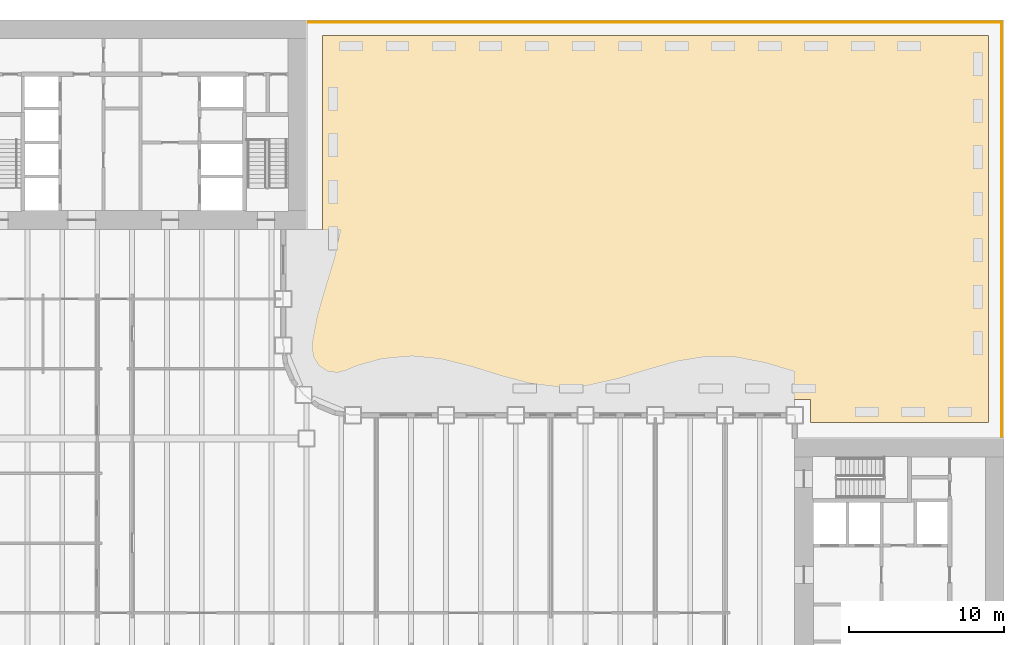
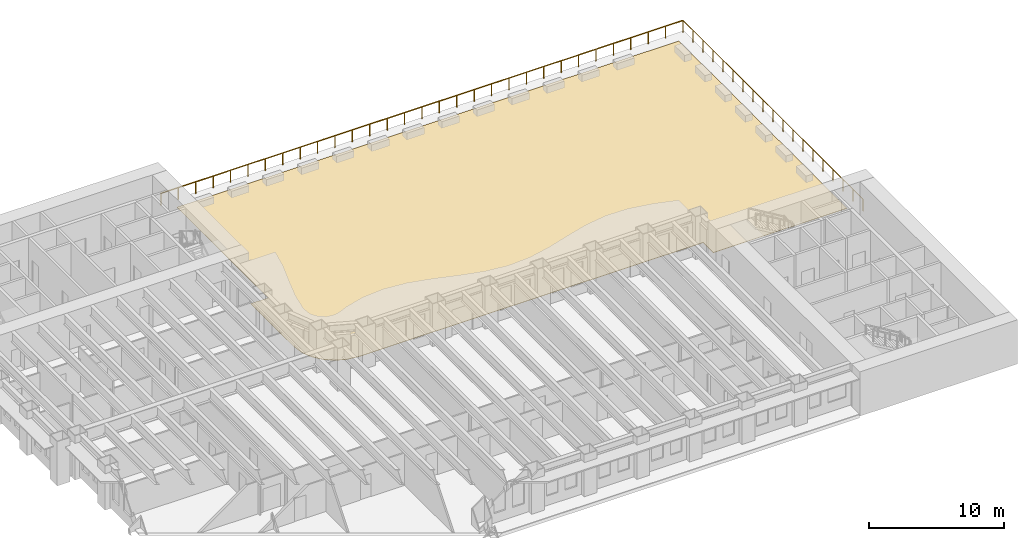
# One storey, part 17 of 18: 2 railings, 1 covering.
"""IFC4 building model written with IfcOpenShell, lengths in metres."""

from ifc_helpers import new_model, si_unit, direction, frame, origin, origin_2d, place, context, subcontext, project, spatial, polyline, rectangle, outline, extrude, material, layer, layer_set, type_object, element, save


model = new_model("IFC4")

# Units and contexts
model_context = context("Model", 3, precision=1e-05, world=origin(), true_north=direction((0.0, 1.0)))
body_context = subcontext(model_context, "Body", "Model", "MODEL_VIEW")
ifc_project = project(units=[si_unit("LENGTHUNIT", "METRE"), si_unit("AREAUNIT", "SQUARE_METRE"), si_unit("VOLUMEUNIT", "CUBIC_METRE"), si_unit("PLANEANGLEUNIT", "RADIAN"), si_unit("MASSUNIT", "GRAM", prefix="KILO")], contexts=[model_context])

# Site, building, storey
site_placement = place(None, origin())
site = spatial("IfcSite", under=ifc_project, at=site_placement, CompositionType="ELEMENT")
building_placement = place(site_placement, origin())
building = spatial("IfcBuilding", under=site, at=building_placement, Name="Sennacour Bend Tower", CompositionType="ELEMENT")
storey_placement = place(building_placement, frame((0.0, 0.0, 29.0)))
storey = spatial("IfcBuildingStorey", under=building, at=storey_placement, Name="L05", CompositionType="ELEMENT", Elevation=29.0)

# Covering
ifc_material_1 = material(Name="Limestone paving", Category="masonry")
ifc_layer = layer(ifc_material_1, 0.030029296875, Name="Limestone paving", Category="masonry")
ifc_layer_set = layer_set([ifc_layer], Name="Limestone paving")
covering_type = type_object("IfcCoveringType", Name="COV-PAVING-30", PredefinedType="FLOORING", material=ifc_layer_set)
covering_placement = place(storey_placement, origin())
element("IfcCovering", 1, at=covering_placement, inside=storey, type_object=covering_type, Name="Paving Podium Roof", PredefinedType="FLOORING", context=body_context, shape_type="SweptSolid", body=[
    extrude(outline(polyline([(66.5, 48.5), (66.5, 23.530029296875), (55.030029296875, 23.530029296875), (55.030029296875, 25.030029296875), (25.5673828125, 25.030029296875), (24.604248046875, 25.15673828125), (23.769287109375, 25.502685546875), (23.052490234375, 26.052490234375), (22.502685546875, 26.769287109375), (22.15673828125, 27.604248046875), (22.030029296875, 28.5673828125), (22.030029296875, 34.969970703125), (23.530029296875, 34.969970703125), (23.530029296875, 48.5), (66.5, 48.5)])), origin(), (0.0, 0.0, 1.0), 0.030029296875),
])

# Railings
ifc_material_2 = material(Name="Stainless steel 316", Category="steel")
railing_type = type_object("IfcRailingType", Name="GUARD 1100", PredefinedType="GUARDRAIL", material=ifc_material_2)
railing_1_placement = place(storey_placement, frame((67.35009765625, 49.35009765625, 0.0)))
element("IfcRailing", 2, at=railing_1_placement, inside=storey, type_object=railing_type, Name="Guard Podium Roof", PredefinedType="GUARDRAIL", context=body_context, shape_type="SweptSolid", body=[
    extrude(rectangle(XDim=0.048095703125, YDim=0.048095703125, at=origin_2d()), frame((0.0, 0.0, 1.076171875), z_axis=(0.0, -1.0, 0.0), x_axis=(1.0, 0.0, 0.0)), (0.0, 0.0, 1.0), 26.7001953125),
    extrude(rectangle(XDim=0.0419921875, YDim=0.0419921875, at=origin_2d()), origin(), (0.0, 0.0, 1.0), 1.052001953125),
    extrude(rectangle(XDim=0.0419921875, YDim=0.0419921875, at=origin_2d()), frame((0.0, -1.4833984375, 0.0)), (0.0, 0.0, 1.0), 1.052001953125),
    extrude(rectangle(XDim=0.0419921875, YDim=0.0419921875, at=origin_2d()), frame((0.0, -2.966796875, 0.0)), (0.0, 0.0, 1.0), 1.052001953125),
    extrude(rectangle(XDim=0.0419921875, YDim=0.0419921875, at=origin_2d()), frame((0.0, -4.449951171875, 0.0)), (0.0, 0.0, 1.0), 1.052001953125),
    extrude(rectangle(XDim=0.0419921875, YDim=0.0419921875, at=origin_2d()), frame((0.0, -5.933349609375, 0.0)), (0.0, 0.0, 1.0), 1.052001953125),
    extrude(rectangle(XDim=0.0419921875, YDim=0.0419921875, at=origin_2d()), frame((0.0, -7.416748046875, 0.0)), (0.0, 0.0, 1.0), 1.052001953125),
    extrude(rectangle(XDim=0.0419921875, YDim=0.0419921875, at=origin_2d()), frame((0.0, -8.900146484375, 0.0)), (0.0, 0.0, 1.0), 1.052001953125),
    extrude(rectangle(XDim=0.0419921875, YDim=0.0419921875, at=origin_2d()), frame((0.0, -10.38330078125, 0.0)), (0.0, 0.0, 1.0), 1.052001953125),
    extrude(rectangle(XDim=0.0419921875, YDim=0.0419921875, at=origin_2d()), frame((0.0, -11.86669921875, 0.0)), (0.0, 0.0, 1.0), 1.052001953125),
    extrude(rectangle(XDim=0.0419921875, YDim=0.0419921875, at=origin_2d()), frame((0.0, -13.35009765625, 0.0)), (0.0, 0.0, 1.0), 1.052001953125),
    extrude(rectangle(XDim=0.0419921875, YDim=0.0419921875, at=origin_2d()), frame((0.0, -14.83349609375, 0.0)), (0.0, 0.0, 1.0), 1.052001953125),
    extrude(rectangle(XDim=0.0419921875, YDim=0.0419921875, at=origin_2d()), frame((0.0, -16.31689453125, 0.0)), (0.0, 0.0, 1.0), 1.052001953125),
    extrude(rectangle(XDim=0.0419921875, YDim=0.0419921875, at=origin_2d()), frame((0.0, -17.800048828125, 0.0)), (0.0, 0.0, 1.0), 1.052001953125),
    extrude(rectangle(XDim=0.0419921875, YDim=0.0419921875, at=origin_2d()), frame((0.0, -19.283447265625, 0.0)), (0.0, 0.0, 1.0), 1.052001953125),
    extrude(rectangle(XDim=0.0419921875, YDim=0.0419921875, at=origin_2d()), frame((0.0, -20.766845703125, 0.0)), (0.0, 0.0, 1.0), 1.052001953125),
    extrude(rectangle(XDim=0.0419921875, YDim=0.0419921875, at=origin_2d()), frame((0.0, -22.250244140625, 0.0)), (0.0, 0.0, 1.0), 1.052001953125),
    extrude(rectangle(XDim=0.0419921875, YDim=0.0419921875, at=origin_2d()), frame((0.0, -23.7333984375, 0.0)), (0.0, 0.0, 1.0), 1.052001953125),
    extrude(rectangle(XDim=0.0419921875, YDim=0.0419921875, at=origin_2d()), frame((0.0, -25.216796875, 0.0)), (0.0, 0.0, 1.0), 1.052001953125),
    extrude(rectangle(XDim=0.0419921875, YDim=0.0419921875, at=origin_2d()), frame((0.0, -26.7001953125, 0.0)), (0.0, 0.0, 1.0), 1.052001953125),
])
railing_2_placement = place(storey_placement, frame((22.64990234375, 49.35009765625, 0.0)))
element("IfcRailing", 3, at=railing_2_placement, inside=storey, type_object=railing_type, Name="Guard Podium Roof", PredefinedType="GUARDRAIL", context=body_context, shape_type="SweptSolid", body=[
    extrude(rectangle(XDim=0.048095703125, YDim=0.048095703125, at=origin_2d()), frame((0.0, 0.0, 1.076171875), z_axis=(1.0, 0.0, 0.0), x_axis=(0.0, 1.0, 0.0)), (0.0, 0.0, 1.0), 44.7001953125),
    extrude(rectangle(XDim=0.0419921875, YDim=0.0419921875, at=origin_2d()), origin(), (0.0, 0.0, 1.0), 1.052001953125),
    extrude(rectangle(XDim=0.0419921875, YDim=0.0419921875, at=origin_2d()), frame((1.489990234375, 0.0, 0.0)), (0.0, 0.0, 1.0), 1.052001953125),
    extrude(rectangle(XDim=0.0419921875, YDim=0.0419921875, at=origin_2d()), frame((2.97998046875, 0.0, 0.0)), (0.0, 0.0, 1.0), 1.052001953125),
    extrude(rectangle(XDim=0.0419921875, YDim=0.0419921875, at=origin_2d()), frame((4.469970703125, 0.0, 0.0)), (0.0, 0.0, 1.0), 1.052001953125),
    extrude(rectangle(XDim=0.0419921875, YDim=0.0419921875, at=origin_2d()), frame((5.9599609375, 0.0, 0.0)), (0.0, 0.0, 1.0), 1.052001953125),
    extrude(rectangle(XDim=0.0419921875, YDim=0.0419921875, at=origin_2d()), frame((7.449951171875, 0.0, 0.0)), (0.0, 0.0, 1.0), 1.052001953125),
    extrude(rectangle(XDim=0.0419921875, YDim=0.0419921875, at=origin_2d()), frame((8.93994140625, 0.0, 0.0)), (0.0, 0.0, 1.0), 1.052001953125),
    extrude(rectangle(XDim=0.0419921875, YDim=0.0419921875, at=origin_2d()), frame((10.429931640625, 0.0, 0.0)), (0.0, 0.0, 1.0), 1.052001953125),
    extrude(rectangle(XDim=0.0419921875, YDim=0.0419921875, at=origin_2d()), frame((11.920166015625, 0.0, 0.0)), (0.0, 0.0, 1.0), 1.052001953125),
    extrude(rectangle(XDim=0.0419921875, YDim=0.0419921875, at=origin_2d()), frame((13.41015625, 0.0, 0.0)), (0.0, 0.0, 1.0), 1.052001953125),
    extrude(rectangle(XDim=0.0419921875, YDim=0.0419921875, at=origin_2d()), frame((14.900146484375, 0.0, 0.0)), (0.0, 0.0, 1.0), 1.052001953125),
    extrude(rectangle(XDim=0.0419921875, YDim=0.0419921875, at=origin_2d()), frame((16.39013671875, 0.0, 0.0)), (0.0, 0.0, 1.0), 1.052001953125),
    extrude(rectangle(XDim=0.0419921875, YDim=0.0419921875, at=origin_2d()), frame((17.880126953125, 0.0, 0.0)), (0.0, 0.0, 1.0), 1.052001953125),
    extrude(rectangle(XDim=0.0419921875, YDim=0.0419921875, at=origin_2d()), frame((19.3701171875, 0.0, 0.0)), (0.0, 0.0, 1.0), 1.052001953125),
    extrude(rectangle(XDim=0.0419921875, YDim=0.0419921875, at=origin_2d()), frame((20.860107421875, 0.0, 0.0)), (0.0, 0.0, 1.0), 1.052001953125),
    extrude(rectangle(XDim=0.0419921875, YDim=0.0419921875, at=origin_2d()), frame((22.35009765625, 0.0, 0.0)), (0.0, 0.0, 1.0), 1.052001953125),
    extrude(rectangle(XDim=0.0419921875, YDim=0.0419921875, at=origin_2d()), frame((23.840087890625, 0.0, 0.0)), (0.0, 0.0, 1.0), 1.052001953125),
    extrude(rectangle(XDim=0.0419921875, YDim=0.0419921875, at=origin_2d()), frame((25.330078125, 0.0, 0.0)), (0.0, 0.0, 1.0), 1.052001953125),
    extrude(rectangle(XDim=0.0419921875, YDim=0.0419921875, at=origin_2d()), frame((26.820068359375, 0.0, 0.0)), (0.0, 0.0, 1.0), 1.052001953125),
    extrude(rectangle(XDim=0.0419921875, YDim=0.0419921875, at=origin_2d()), frame((28.31005859375, 0.0, 0.0)), (0.0, 0.0, 1.0), 1.052001953125),
    extrude(rectangle(XDim=0.0419921875, YDim=0.0419921875, at=origin_2d()), frame((29.800048828125, 0.0, 0.0)), (0.0, 0.0, 1.0), 1.052001953125),
    extrude(rectangle(XDim=0.0419921875, YDim=0.0419921875, at=origin_2d()), frame((31.2900390625, 0.0, 0.0)), (0.0, 0.0, 1.0), 1.052001953125),
    extrude(rectangle(XDim=0.0419921875, YDim=0.0419921875, at=origin_2d()), frame((32.780029296875, 0.0, 0.0)), (0.0, 0.0, 1.0), 1.052001953125),
    extrude(rectangle(XDim=0.0419921875, YDim=0.0419921875, at=origin_2d()), frame((34.270263671875, 0.0, 0.0)), (0.0, 0.0, 1.0), 1.052001953125),
    extrude(rectangle(XDim=0.0419921875, YDim=0.0419921875, at=origin_2d()), frame((35.76025390625, 0.0, 0.0)), (0.0, 0.0, 1.0), 1.052001953125),
    extrude(rectangle(XDim=0.0419921875, YDim=0.0419921875, at=origin_2d()), frame((37.250244140625, 0.0, 0.0)), (0.0, 0.0, 1.0), 1.052001953125),
    extrude(rectangle(XDim=0.0419921875, YDim=0.0419921875, at=origin_2d()), frame((38.740234375, 0.0, 0.0)), (0.0, 0.0, 1.0), 1.052001953125),
    extrude(rectangle(XDim=0.0419921875, YDim=0.0419921875, at=origin_2d()), frame((40.230224609375, 0.0, 0.0)), (0.0, 0.0, 1.0), 1.052001953125),
    extrude(rectangle(XDim=0.0419921875, YDim=0.0419921875, at=origin_2d()), frame((41.72021484375, 0.0, 0.0)), (0.0, 0.0, 1.0), 1.052001953125),
    extrude(rectangle(XDim=0.0419921875, YDim=0.0419921875, at=origin_2d()), frame((43.210205078125, 0.0, 0.0)), (0.0, 0.0, 1.0), 1.052001953125),
    extrude(rectangle(XDim=0.0419921875, YDim=0.0419921875, at=origin_2d()), frame((44.7001953125, 0.0, 0.0)), (0.0, 0.0, 1.0), 1.052001953125),
])

save(model, "model.ifc")
